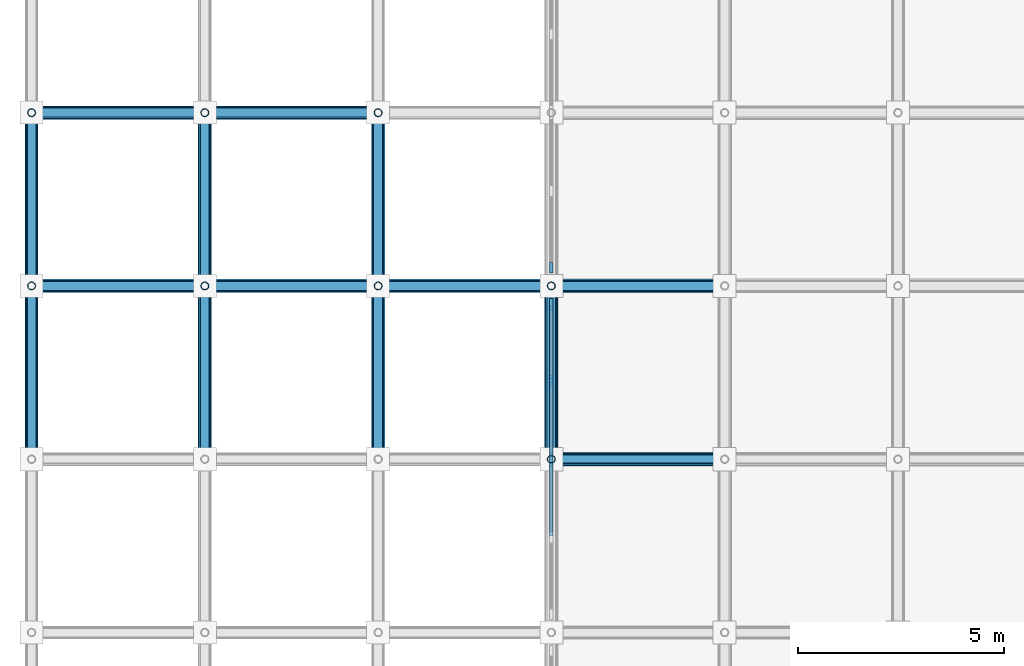
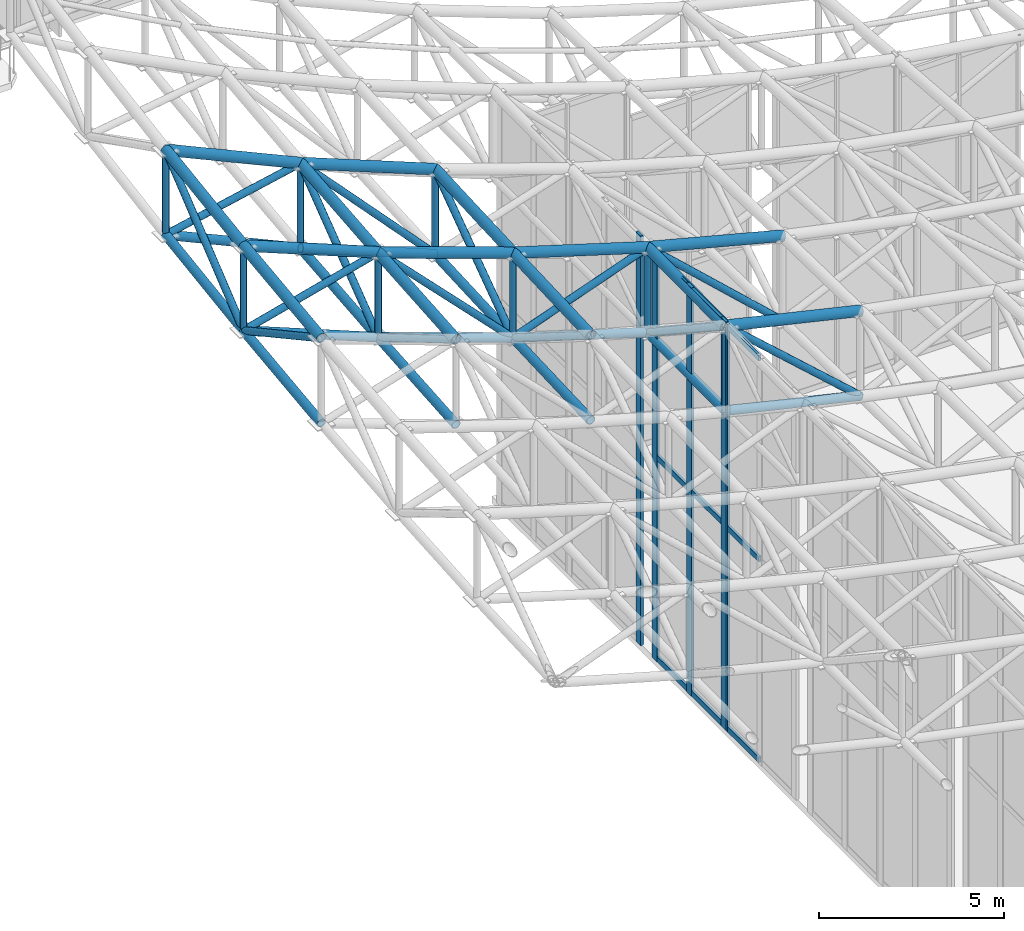
# One storey, part 27 of 93: 64 members, 3 elements without a shape of their own.
"""IFC4 building model written with IfcOpenShell, lengths in metres."""

from ifc_helpers import new_model, si_unit, direction, frame, origin, origin_2d, place, context, subcontext, project, spatial, rectangle, hollow_circle, extrude, material, material_profile, profile_set, type_object, element, aggregate, save


model = new_model("IFC4")

# Units and contexts
model_context = context("Model", 3, precision=1e-05, world=origin(), true_north=direction((0.0, 1.0)))
body_context = subcontext(model_context, "Body", "Model", "MODEL_VIEW")
ifc_project = project(units=[si_unit("LENGTHUNIT", "METRE"), si_unit("AREAUNIT", "SQUARE_METRE"), si_unit("VOLUMEUNIT", "CUBIC_METRE"), si_unit("PLANEANGLEUNIT", "RADIAN"), si_unit("MASSUNIT", "GRAM", prefix="KILO")], contexts=[model_context])

# Site, building, storey
site_placement = place(None, origin())
site = spatial("IfcSite", under=ifc_project, at=site_placement, CompositionType="ELEMENT")
building_placement = place(site_placement, origin())
building = spatial("IfcBuilding", under=site, at=building_placement, Name="Cumbredor Promenade Congress Hotel", CompositionType="ELEMENT")
storey_placement = place(building_placement, frame((0.0, 0.0, 21.840087890625)))
storey = spatial("IfcBuildingStorey", under=building, at=storey_placement, Name="L06", CompositionType="ELEMENT", Elevation=21.840087890625)

# Curtain wall, member
ifc_material_1 = material(Name="Thermally broken anodized aluminium and low-E glass", Category="aluminium")
curtain_wall_type = type_object("IfcCurtainWallType", Name="Stepped Pavilion Clerestory Curtain Wall CW-06", PredefinedType="NOTDEFINED", material=ifc_material_1)
curtain_wall_1_placement = place(storey_placement, origin())
curtain_wall_1 = element("IfcCurtainWall", 1, at=curtain_wall_1_placement, inside=storey, type_object=curtain_wall_type, Name="Plenary Congress Hall W Glazed Clerestory 11", PredefinedType="NOTDEFINED")
ifc_material_2 = material(Name="Thermally broken anodized aluminium", Category="aluminium")
ifc_material_profile_1 = material_profile(ifc_material_2, rectangle(XDim=0.0849609375, YDim=0.260009765625, at=origin_2d()), Name="ALU MULLION CLERESTORY 85x260")
ifc_profile_set_1 = profile_set([ifc_material_profile_1], Name="Thermally broken anodized aluminium")
member_type_1 = type_object("IfcMemberType", Name="Curtain Wall Mullion ML-04", PredefinedType="MULLION", material=ifc_profile_set_1)
member_1_placement = place(storey_placement, frame((8.39990234375, 54.56005859375, -0.01806640625), z_axis=(0.0, 0.0, 1.0), x_axis=(1.0, 0.0, 0.0)))
member_1 = element("IfcMember", 2, at=member_1_placement, type_object=member_type_1, Name="Plenary Congress Hall W Glazed Clerestory 11 Mullion 3", PredefinedType="MULLION", context=body_context, shape_type="SweptSolid", body=[
    extrude(rectangle(XDim=0.0849609375, YDim=0.260009765625, at=origin_2d()), origin(), (0.0, 0.0, 1.0), 13.433837890625),
])

# Curtain wall, members
curtain_wall_2_placement = place(storey_placement, origin())
curtain_wall_2 = element("IfcCurtainWall", 3, at=curtain_wall_2_placement, inside=storey, type_object=curtain_wall_type, Name="Plenary Congress Hall W Glazed Clerestory 12", PredefinedType="NOTDEFINED")
member_2_placement = place(storey_placement, frame((8.39990234375, 54.639892578125, -0.01806640625), z_axis=(0.0, 0.0, 1.0), x_axis=(1.0, 0.0, 0.0)))
member_2 = element("IfcMember", 4, at=member_2_placement, type_object=member_type_1, Name="Plenary Congress Hall W Glazed Clerestory 12 Mullion 1", PredefinedType="MULLION", context=body_context, shape_type="SweptSolid", body=[
    extrude(rectangle(XDim=0.0849609375, YDim=0.260009765625, at=origin_2d()), origin(), (0.0, 0.0, 1.0), 13.466064453125),
])
member_3_placement = place(storey_placement, frame((8.39990234375, 56.5, -0.01806640625), z_axis=(0.0, 0.0, 1.0), x_axis=(1.0, 0.0, 0.0)))
member_3 = element("IfcMember", 5, at=member_3_placement, type_object=member_type_1, Name="Plenary Congress Hall W Glazed Clerestory 12 Mullion 2", PredefinedType="MULLION", context=body_context, shape_type="SweptSolid", body=[
    extrude(rectangle(XDim=0.0849609375, YDim=0.260009765625, at=origin_2d()), origin(), (0.0, 0.0, 1.0), 13.466064453125),
])
member_4_placement = place(storey_placement, frame((8.39990234375, 58.360107421875, -0.01806640625), z_axis=(0.0, 0.0, 1.0), x_axis=(1.0, 0.0, 0.0)))
member_4 = element("IfcMember", 6, at=member_4_placement, type_object=member_type_1, Name="Plenary Congress Hall W Glazed Clerestory 12 Mullion 3", PredefinedType="MULLION", context=body_context, shape_type="SweptSolid", body=[
    extrude(rectangle(XDim=0.0849609375, YDim=0.260009765625, at=origin_2d()), origin(), (0.0, 0.0, 1.0), 13.466064453125),
])

# Curtain wall, member
curtain_wall_3_placement = place(storey_placement, origin())
curtain_wall_3 = element("IfcCurtainWall", 7, at=curtain_wall_3_placement, inside=storey, type_object=curtain_wall_type, Name="Plenary Congress Hall W Glazed Clerestory 13", PredefinedType="NOTDEFINED")
member_5_placement = place(storey_placement, frame((8.39990234375, 59.239990234375, -0.01806640625), z_axis=(0.0, 0.0, 1.0), x_axis=(1.0, 0.0, 0.0)))
member_5 = element("IfcMember", 8, at=member_5_placement, type_object=member_type_1, Name="Plenary Congress Hall W Glazed Clerestory 13 Mullion 1", PredefinedType="MULLION", context=body_context, shape_type="SweptSolid", body=[
    extrude(rectangle(XDim=0.0849609375, YDim=0.260009765625, at=origin_2d()), origin(), (0.0, 0.0, 1.0), 13.506103515625),
])
aggregate(curtain_wall_3, [member_5])

# Member
ifc_material_profile_2 = material_profile(ifc_material_2, rectangle(XDim=0.080078125, YDim=0.179931640625, at=origin_2d()), Name="ALU TRANSOM 80x180")
ifc_profile_set_2 = profile_set([ifc_material_profile_2], Name="Thermally broken anodized aluminium")
member_type_2 = type_object("IfcMemberType", Name="Curtain Wall Transom TR-03", PredefinedType="USERDEFINED", material=ifc_profile_set_2)
member_6_placement = place(storey_placement, frame((8.39990234375, 52.742431640625, 0.079833984375), z_axis=(0.0, 1.0, 0.0), x_axis=(-1.0, 0.0, 0.0)))
member_6 = element("IfcMember", 9, at=member_6_placement, type_object=member_type_2, Name="Plenary Congress Hall W Glazed Clerestory 11 Transom 2.1", ObjectType="TRANSOM", PredefinedType="USERDEFINED", context=body_context, shape_type="SweptSolid", body=[
    extrude(rectangle(XDim=0.080078125, YDim=0.179931640625, at=origin_2d()), origin(), (0.0, 0.0, 1.0), 1.775146484375),
])

member_7_placement = place(storey_placement, frame((8.39990234375, 52.742431640625, 6.699951171875), z_axis=(0.0, 1.0, 0.0), x_axis=(-1.0, 0.0, 0.0)))
member_7 = element("IfcMember", 10, at=member_7_placement, type_object=member_type_2, Name="Plenary Congress Hall W Glazed Clerestory 11 Transom 2.2", ObjectType="TRANSOM", PredefinedType="USERDEFINED", context=body_context, shape_type="SweptSolid", body=[
    extrude(rectangle(XDim=0.080078125, YDim=0.179931640625, at=origin_2d()), origin(), (0.0, 0.0, 1.0), 1.775146484375),
])

member_8_placement = place(storey_placement, frame((8.39990234375, 52.742431640625, 13.31982421875), z_axis=(0.0, 1.0, 0.0), x_axis=(-1.0, 0.0, 0.0)))
member_8 = element("IfcMember", 11, at=member_8_placement, type_object=member_type_2, Name="Plenary Congress Hall W Glazed Clerestory 11 Transom 2.3", ObjectType="TRANSOM", PredefinedType="USERDEFINED", context=body_context, shape_type="SweptSolid", body=[
    extrude(rectangle(XDim=0.080078125, YDim=0.179931640625, at=origin_2d()), origin(), (0.0, 0.0, 1.0), 1.775146484375),
])

aggregate(curtain_wall_1, [member_1, member_6, member_7, member_8])

member_9_placement = place(storey_placement, frame((8.39990234375, 54.6826171875, 0.079833984375), z_axis=(0.0, 1.0, 0.0), x_axis=(-1.0, 0.0, 0.0)))
member_9 = element("IfcMember", 12, at=member_9_placement, type_object=member_type_2, Name="Plenary Congress Hall W Glazed Clerestory 12 Transom 1.1", ObjectType="TRANSOM", PredefinedType="USERDEFINED", context=body_context, shape_type="SweptSolid", body=[
    extrude(rectangle(XDim=0.080078125, YDim=0.179931640625, at=origin_2d()), origin(), (0.0, 0.0, 1.0), 1.77490234375),
])

member_10_placement = place(storey_placement, frame((8.39990234375, 54.6826171875, 6.7099609375), z_axis=(0.0, 1.0, 0.0), x_axis=(-1.0, 0.0, 0.0)))
member_10 = element("IfcMember", 13, at=member_10_placement, type_object=member_type_2, Name="Plenary Congress Hall W Glazed Clerestory 12 Transom 1.2", ObjectType="TRANSOM", PredefinedType="USERDEFINED", context=body_context, shape_type="SweptSolid", body=[
    extrude(rectangle(XDim=0.080078125, YDim=0.179931640625, at=origin_2d()), origin(), (0.0, 0.0, 1.0), 1.77490234375),
])

member_11_placement = place(storey_placement, frame((8.39990234375, 54.6826171875, 13.349853515625), z_axis=(0.0, 1.0, 0.0), x_axis=(-1.0, 0.0, 0.0)))
member_11 = element("IfcMember", 14, at=member_11_placement, type_object=member_type_2, Name="Plenary Congress Hall W Glazed Clerestory 12 Transom 1.3", ObjectType="TRANSOM", PredefinedType="USERDEFINED", context=body_context, shape_type="SweptSolid", body=[
    extrude(rectangle(XDim=0.080078125, YDim=0.179931640625, at=origin_2d()), origin(), (0.0, 0.0, 1.0), 1.77490234375),
])

member_12_placement = place(storey_placement, frame((8.39990234375, 56.54248046875, 0.079833984375), z_axis=(0.0, 1.0, 0.0), x_axis=(-1.0, 0.0, 0.0)))
member_12 = element("IfcMember", 15, at=member_12_placement, type_object=member_type_2, Name="Plenary Congress Hall W Glazed Clerestory 12 Transom 2.1", ObjectType="TRANSOM", PredefinedType="USERDEFINED", context=body_context, shape_type="SweptSolid", body=[
    extrude(rectangle(XDim=0.080078125, YDim=0.179931640625, at=origin_2d()), origin(), (0.0, 0.0, 1.0), 1.77490234375),
])

member_13_placement = place(storey_placement, frame((8.39990234375, 56.54248046875, 6.7099609375), z_axis=(0.0, 1.0, 0.0), x_axis=(-1.0, 0.0, 0.0)))
member_13 = element("IfcMember", 16, at=member_13_placement, type_object=member_type_2, Name="Plenary Congress Hall W Glazed Clerestory 12 Transom 2.2", ObjectType="TRANSOM", PredefinedType="USERDEFINED", context=body_context, shape_type="SweptSolid", body=[
    extrude(rectangle(XDim=0.080078125, YDim=0.179931640625, at=origin_2d()), origin(), (0.0, 0.0, 1.0), 1.77490234375),
])

member_14_placement = place(storey_placement, frame((8.39990234375, 56.54248046875, 13.349853515625), z_axis=(0.0, 1.0, 0.0), x_axis=(-1.0, 0.0, 0.0)))
member_14 = element("IfcMember", 17, at=member_14_placement, type_object=member_type_2, Name="Plenary Congress Hall W Glazed Clerestory 12 Transom 2.3", ObjectType="TRANSOM", PredefinedType="USERDEFINED", context=body_context, shape_type="SweptSolid", body=[
    extrude(rectangle(XDim=0.080078125, YDim=0.179931640625, at=origin_2d()), origin(), (0.0, 0.0, 1.0), 1.77490234375),
])

aggregate(curtain_wall_2, [member_2, member_3, member_4, member_9, member_10, member_11, member_12, member_13, member_14])

# Members
ifc_material_3 = material(Name="Steel ASTM A500 Grade C", Category="steel")
ifc_material_profile_3 = material_profile(ifc_material_3, hollow_circle(Radius=0.136474609375, WallThickness=0.01611328125, at=origin_2d()), Name="CHS 273.0x16")
ifc_profile_set_3 = profile_set([ifc_material_profile_3], Name="Steel ASTM A500 Grade C")
member_type_3 = type_object("IfcMemberType", Name="Plenary Roof Space Frame Bottom Chord", PredefinedType="CHORD", material=ifc_profile_set_3)
member_15_placement = place(storey_placement, frame((8.39990234375, 54.60009765625, 10.4599609375), z_axis=(0.974057098323, 0.0, -0.226302384445), x_axis=(0.0, 1.0, 0.0)))
element("IfcMember", 18, at=member_15_placement, inside=storey, type_object=member_type_3, Name="Plenary Congress Hall X Bottom Chord 4.14", PredefinedType="CHORD", context=body_context, shape_type="SweptSolid", body=[
    extrude(hollow_circle(Radius=0.136474609375, WallThickness=0.01611328125, at=origin_2d()), origin(), (0.0, 0.0, 1.0), 4.31201171875),
])
member_16_placement = place(storey_placement, frame((-4.199951171875, 58.800048828125, 14.967041015625), z_axis=(0.927417042186, 0.0, -0.374028915811), x_axis=(0.0, 1.0, 0.0)))
element("IfcMember", 19, at=member_16_placement, inside=storey, type_object=member_type_3, Name="Plenary Congress Hall X Bottom Chord 1.15", PredefinedType="CHORD", context=body_context, shape_type="SweptSolid", body=[
    extrude(hollow_circle(Radius=0.136474609375, WallThickness=0.01611328125, at=origin_2d()), origin(), (0.0, 0.0, 1.0), 4.528564453125),
])
member_17_placement = place(storey_placement, frame((0.0, 58.800048828125, 13.273193359375), z_axis=(0.942760446136, 0.0, -0.333470750145), x_axis=(0.0, 1.0, 0.0)))
element("IfcMember", 20, at=member_17_placement, inside=storey, type_object=member_type_3, Name="Plenary Congress Hall X Bottom Chord 2.15", PredefinedType="CHORD", context=body_context, shape_type="SweptSolid", body=[
    extrude(hollow_circle(Radius=0.136474609375, WallThickness=0.01611328125, at=origin_2d()), origin(), (0.0, 0.0, 1.0), 4.454833984375),
])
member_18_placement = place(storey_placement, frame((4.199951171875, 58.800048828125, 11.78759765625), z_axis=(0.95607892243, 0.0, -0.293109355165), x_axis=(0.0, 1.0, 0.0)))
element("IfcMember", 21, at=member_18_placement, inside=storey, type_object=member_type_3, Name="Plenary Congress Hall X Bottom Chord 3.15", PredefinedType="CHORD", context=body_context, shape_type="SweptSolid", body=[
    extrude(hollow_circle(Radius=0.136474609375, WallThickness=0.01611328125, at=origin_2d()), origin(), (0.0, 0.0, 1.0), 4.392822265625),
])
member_19_placement = place(storey_placement, frame((8.39990234375, 58.800048828125, 10.5), z_axis=(0.967959933008, 0.0, -0.251104695479), x_axis=(0.0, 1.0, 0.0)))
element("IfcMember", 22, at=member_19_placement, inside=storey, type_object=member_type_3, Name="Plenary Congress Hall X Bottom Chord 4.15", PredefinedType="CHORD", context=body_context, shape_type="SweptSolid", body=[
    extrude(hollow_circle(Radius=0.136474609375, WallThickness=0.01611328125, at=origin_2d()), origin(), (0.0, 0.0, 1.0), 4.339111328125),
])
member_20_placement = place(storey_placement, frame((-4.199951171875, 63.0, 15.575927734375), z_axis=(0.910496936225, 0.0, -0.413515814842), x_axis=(0.0, 1.0, 0.0)))
element("IfcMember", 23, at=member_20_placement, inside=storey, type_object=member_type_3, Name="Plenary Congress Hall X Bottom Chord 1.16", PredefinedType="CHORD", context=body_context, shape_type="SweptSolid", body=[
    extrude(hollow_circle(Radius=0.136474609375, WallThickness=0.01611328125, at=origin_2d()), origin(), (0.0, 0.0, 1.0), 4.61279296875),
])
member_21_placement = place(storey_placement, frame((0.0, 63.0, 13.66845703125), z_axis=(0.929112256064, 0.0, -0.369797803713), x_axis=(0.0, 1.0, 0.0)))
element("IfcMember", 24, at=member_21_placement, inside=storey, type_object=member_type_3, Name="Plenary Congress Hall X Bottom Chord 2.16", PredefinedType="CHORD", context=body_context, shape_type="SweptSolid", body=[
    extrude(hollow_circle(Radius=0.136474609375, WallThickness=0.01611328125, at=origin_2d()), origin(), (0.0, 0.0, 1.0), 4.5205078125),
])
member_22_placement = place(storey_placement, frame((-4.199951171875, 54.60009765625, 14.45947265625), z_axis=(0.0, 0.992776544314, 0.119978052411), x_axis=(-1.0, 0.0, 0.0)))
element("IfcMember", 25, at=member_22_placement, inside=storey, type_object=member_type_3, Name="Plenary Congress Hall Y Bottom Chord 1.14", PredefinedType="CHORD", context=body_context, shape_type="SweptSolid", body=[
    extrude(hollow_circle(Radius=0.136474609375, WallThickness=0.01611328125, at=origin_2d()), origin(), (0.0, 0.0, 1.0), 4.23046875),
])
member_23_placement = place(storey_placement, frame((-4.199951171875, 58.800048828125, 14.967041015625), z_axis=(0.0, 0.989653970568, 0.143474801058), x_axis=(-1.0, 0.0, 0.0)))
element("IfcMember", 26, at=member_23_placement, inside=storey, type_object=member_type_3, Name="Plenary Congress Hall Y Bottom Chord 1.15", PredefinedType="CHORD", context=body_context, shape_type="SweptSolid", body=[
    extrude(hollow_circle(Radius=0.136474609375, WallThickness=0.01611328125, at=origin_2d()), origin(), (0.0, 0.0, 1.0), 4.243896484375),
])
member_24_placement = place(storey_placement, frame((0.0, 54.60009765625, 12.943603515625), z_axis=(0.0, 0.996935010979, 0.078234160601), x_axis=(-1.0, 0.0, 0.0)))
element("IfcMember", 27, at=member_24_placement, inside=storey, type_object=member_type_3, Name="Plenary Congress Hall Y Bottom Chord 2.14", PredefinedType="CHORD", context=body_context, shape_type="SweptSolid", body=[
    extrude(hollow_circle(Radius=0.136474609375, WallThickness=0.01611328125, at=origin_2d()), origin(), (0.0, 0.0, 1.0), 4.212890625),
])
member_25_placement = place(storey_placement, frame((0.0, 58.800048828125, 13.273193359375), z_axis=(0.0, 0.995600715305, 0.093697468934), x_axis=(-1.0, 0.0, 0.0)))
element("IfcMember", 28, at=member_25_placement, inside=storey, type_object=member_type_3, Name="Plenary Congress Hall Y Bottom Chord 2.15", PredefinedType="CHORD", context=body_context, shape_type="SweptSolid", body=[
    extrude(hollow_circle(Radius=0.136474609375, WallThickness=0.01611328125, at=origin_2d()), origin(), (0.0, 0.0, 1.0), 4.218505859375),
])
member_26_placement = place(storey_placement, frame((4.199951171875, 54.60009765625, 11.61328125), z_axis=(0.0, 0.999139804036, 0.041468686862), x_axis=(-1.0, 0.0, 0.0)))
element("IfcMember", 29, at=member_26_placement, inside=storey, type_object=member_type_3, Name="Plenary Congress Hall Y Bottom Chord 3.14", PredefinedType="CHORD", context=body_context, shape_type="SweptSolid", body=[
    extrude(hollow_circle(Radius=0.136474609375, WallThickness=0.01611328125, at=origin_2d()), origin(), (0.0, 0.0, 1.0), 4.20361328125),
])
member_27_placement = place(storey_placement, frame((4.199951171875, 58.800048828125, 11.78759765625), z_axis=(0.0, 0.998761443455, 0.049755191364), x_axis=(-1.0, 0.0, 0.0)))
element("IfcMember", 30, at=member_27_placement, inside=storey, type_object=member_type_3, Name="Plenary Congress Hall Y Bottom Chord 3.15", PredefinedType="CHORD", context=body_context, shape_type="SweptSolid", body=[
    extrude(hollow_circle(Radius=0.136474609375, WallThickness=0.01611328125, at=origin_2d()), origin(), (0.0, 0.0, 1.0), 4.205078125),
])
member_28_placement = place(storey_placement, frame((8.39990234375, 54.60009765625, 10.4599609375), z_axis=(0.0, 0.999954561946, 0.009532787779), x_axis=(-1.0, 0.0, 0.0)))
element("IfcMember", 31, at=member_28_placement, inside=storey, type_object=member_type_3, Name="Plenary Congress Hall Y Bottom Chord 4.14", PredefinedType="CHORD", context=body_context, shape_type="SweptSolid", body=[
    extrude(hollow_circle(Radius=0.136474609375, WallThickness=0.01611328125, at=origin_2d()), origin(), (0.0, 0.0, 1.0), 4.2001953125),
])
ifc_material_profile_4 = material_profile(ifc_material_3, hollow_circle(Radius=0.161865234375, WallThickness=0.01611328125, at=origin_2d()), Name="CHS 323.9x16")
ifc_profile_set_4 = profile_set([ifc_material_profile_4], Name="Steel ASTM A500 Grade C")
member_type_4 = type_object("IfcMemberType", Name="Plenary Roof Space Frame Top Chord", PredefinedType="CHORD", material=ifc_profile_set_4)
member_29_placement = place(storey_placement, frame((8.39990234375, 54.60009765625, 13.260009765625), z_axis=(0.974057098323, 0.0, -0.226302384445), x_axis=(0.0, 1.0, 0.0)))
element("IfcMember", 32, at=member_29_placement, inside=storey, type_object=member_type_4, Name="Plenary Congress Hall X Top Chord 4.14", PredefinedType="CHORD", context=body_context, shape_type="SweptSolid", body=[
    extrude(hollow_circle(Radius=0.161865234375, WallThickness=0.01611328125, at=origin_2d()), origin(), (0.0, 0.0, 1.0), 4.31201171875),
])
member_30_placement = place(storey_placement, frame((-4.199951171875, 58.800048828125, 17.76708984375), z_axis=(0.927417042186, 0.0, -0.374028915811), x_axis=(0.0, 1.0, 0.0)))
element("IfcMember", 33, at=member_30_placement, inside=storey, type_object=member_type_4, Name="Plenary Congress Hall X Top Chord 1.15", PredefinedType="CHORD", context=body_context, shape_type="SweptSolid", body=[
    extrude(hollow_circle(Radius=0.161865234375, WallThickness=0.01611328125, at=origin_2d()), origin(), (0.0, 0.0, 1.0), 4.528564453125),
])
member_31_placement = place(storey_placement, frame((0.0, 58.800048828125, 16.0732421875), z_axis=(0.942760446136, 0.0, -0.333470750145), x_axis=(0.0, 1.0, 0.0)))
element("IfcMember", 34, at=member_31_placement, inside=storey, type_object=member_type_4, Name="Plenary Congress Hall X Top Chord 2.15", PredefinedType="CHORD", context=body_context, shape_type="SweptSolid", body=[
    extrude(hollow_circle(Radius=0.161865234375, WallThickness=0.01611328125, at=origin_2d()), origin(), (0.0, 0.0, 1.0), 4.454833984375),
])
member_32_placement = place(storey_placement, frame((4.199951171875, 58.800048828125, 14.587646484375), z_axis=(0.95607892243, 0.0, -0.293109355165), x_axis=(0.0, 1.0, 0.0)))
element("IfcMember", 35, at=member_32_placement, inside=storey, type_object=member_type_4, Name="Plenary Congress Hall X Top Chord 3.15", PredefinedType="CHORD", context=body_context, shape_type="SweptSolid", body=[
    extrude(hollow_circle(Radius=0.161865234375, WallThickness=0.01611328125, at=origin_2d()), origin(), (0.0, 0.0, 1.0), 4.392822265625),
])
member_33_placement = place(storey_placement, frame((8.39990234375, 58.800048828125, 13.300048828125), z_axis=(0.967946256362, 0.0, -0.251157410393), x_axis=(0.0, 1.0, 0.0)))
element("IfcMember", 36, at=member_33_placement, inside=storey, type_object=member_type_4, Name="Plenary Congress Hall X Top Chord 4.15", PredefinedType="CHORD", context=body_context, shape_type="SweptSolid", body=[
    extrude(hollow_circle(Radius=0.161865234375, WallThickness=0.01611328125, at=origin_2d()), origin(), (0.0, 0.0, 1.0), 4.33935546875),
])
member_34_placement = place(storey_placement, frame((-4.199951171875, 63.0, 18.375732421875), z_axis=(0.910516862741, 0.0, -0.413471936972), x_axis=(0.0, 1.0, 0.0)))
element("IfcMember", 37, at=member_34_placement, inside=storey, type_object=member_type_4, Name="Plenary Congress Hall X Top Chord 1.16", PredefinedType="CHORD", context=body_context, shape_type="SweptSolid", body=[
    extrude(hollow_circle(Radius=0.161865234375, WallThickness=0.01611328125, at=origin_2d()), origin(), (0.0, 0.0, 1.0), 4.61279296875),
])
member_35_placement = place(storey_placement, frame((0.0, 63.0, 16.468505859375), z_axis=(0.929112256064, 0.0, -0.369797803713), x_axis=(0.0, 1.0, 0.0)))
element("IfcMember", 38, at=member_35_placement, inside=storey, type_object=member_type_4, Name="Plenary Congress Hall X Top Chord 2.16", PredefinedType="CHORD", context=body_context, shape_type="SweptSolid", body=[
    extrude(hollow_circle(Radius=0.161865234375, WallThickness=0.01611328125, at=origin_2d()), origin(), (0.0, 0.0, 1.0), 4.5205078125),
])
member_36_placement = place(storey_placement, frame((-4.199951171875, 54.60009765625, 17.259521484375), z_axis=(0.0, 0.992776544314, 0.119978052411), x_axis=(-1.0, 0.0, 0.0)))
element("IfcMember", 39, at=member_36_placement, inside=storey, type_object=member_type_4, Name="Plenary Congress Hall Y Top Chord 1.14", PredefinedType="CHORD", context=body_context, shape_type="SweptSolid", body=[
    extrude(hollow_circle(Radius=0.161865234375, WallThickness=0.01611328125, at=origin_2d()), origin(), (0.0, 0.0, 1.0), 4.23046875),
])
member_37_placement = place(storey_placement, frame((-4.199951171875, 58.800048828125, 17.76708984375), z_axis=(0.0, 0.989662137454, 0.143418456587), x_axis=(-1.0, 0.0, 0.0)))
element("IfcMember", 40, at=member_37_placement, inside=storey, type_object=member_type_4, Name="Plenary Congress Hall Y Top Chord 1.15", PredefinedType="CHORD", context=body_context, shape_type="SweptSolid", body=[
    extrude(hollow_circle(Radius=0.161865234375, WallThickness=0.01611328125, at=origin_2d()), origin(), (0.0, 0.0, 1.0), 4.243896484375),
])
member_38_placement = place(storey_placement, frame((0.0, 54.60009765625, 15.74365234375), z_axis=(0.0, 0.996935010979, 0.078234160601), x_axis=(-1.0, 0.0, 0.0)))
element("IfcMember", 41, at=member_38_placement, inside=storey, type_object=member_type_4, Name="Plenary Congress Hall Y Top Chord 2.14", PredefinedType="CHORD", context=body_context, shape_type="SweptSolid", body=[
    extrude(hollow_circle(Radius=0.161865234375, WallThickness=0.01611328125, at=origin_2d()), origin(), (0.0, 0.0, 1.0), 4.212890625),
])
member_39_placement = place(storey_placement, frame((0.0, 58.800048828125, 16.0732421875), z_axis=(0.0, 0.995600715305, 0.093697468934), x_axis=(-1.0, 0.0, 0.0)))
element("IfcMember", 42, at=member_39_placement, inside=storey, type_object=member_type_4, Name="Plenary Congress Hall Y Top Chord 2.15", PredefinedType="CHORD", context=body_context, shape_type="SweptSolid", body=[
    extrude(hollow_circle(Radius=0.161865234375, WallThickness=0.01611328125, at=origin_2d()), origin(), (0.0, 0.0, 1.0), 4.218505859375),
])
member_40_placement = place(storey_placement, frame((4.199951171875, 54.60009765625, 14.413330078125), z_axis=(0.0, 0.999139804036, 0.041468686862), x_axis=(-1.0, 0.0, 0.0)))
element("IfcMember", 43, at=member_40_placement, inside=storey, type_object=member_type_4, Name="Plenary Congress Hall Y Top Chord 3.14", PredefinedType="CHORD", context=body_context, shape_type="SweptSolid", body=[
    extrude(hollow_circle(Radius=0.161865234375, WallThickness=0.01611328125, at=origin_2d()), origin(), (0.0, 0.0, 1.0), 4.20361328125),
])
member_41_placement = place(storey_placement, frame((4.199951171875, 58.800048828125, 14.587646484375), z_axis=(0.0, 0.998761443455, 0.049755191364), x_axis=(-1.0, 0.0, 0.0)))
element("IfcMember", 44, at=member_41_placement, inside=storey, type_object=member_type_4, Name="Plenary Congress Hall Y Top Chord 3.15", PredefinedType="CHORD", context=body_context, shape_type="SweptSolid", body=[
    extrude(hollow_circle(Radius=0.161865234375, WallThickness=0.01611328125, at=origin_2d()), origin(), (0.0, 0.0, 1.0), 4.205078125),
])
member_42_placement = place(storey_placement, frame((8.39990234375, 54.60009765625, 13.260009765625), z_axis=(0.0, 0.999954561946, 0.009532787779), x_axis=(-1.0, 0.0, 0.0)))
element("IfcMember", 45, at=member_42_placement, inside=storey, type_object=member_type_4, Name="Plenary Congress Hall Y Top Chord 4.14", PredefinedType="CHORD", context=body_context, shape_type="SweptSolid", body=[
    extrude(hollow_circle(Radius=0.161865234375, WallThickness=0.01611328125, at=origin_2d()), origin(), (0.0, 0.0, 1.0), 4.2001953125),
])
ifc_material_profile_5 = material_profile(ifc_material_3, hollow_circle(Radius=0.109619140625, WallThickness=0.012451171875, at=origin_2d()), Name="CHS 219.1x12.5")
ifc_profile_set_5 = profile_set([ifc_material_profile_5], Name="Steel ASTM A500 Grade C")
member_type_5 = type_object("IfcMemberType", Name="Space Frame Web Diagonal D1", PredefinedType="BRACE", material=ifc_profile_set_5)
member_43_placement = place(storey_placement, frame((8.39990234375, 54.60009765625, 13.260009765625), z_axis=(0.743672320821, 0.0, -0.668544298641), x_axis=(0.0, 1.0, 0.0)))
element("IfcMember", 46, at=member_43_placement, inside=storey, type_object=member_type_5, Name="Plenary Congress Hall X Web Diagonal 4.14", PredefinedType="BRACE", context=body_context, shape_type="SweptSolid", body=[
    extrude(hollow_circle(Radius=0.109619140625, WallThickness=0.012451171875, at=origin_2d()), origin(), (0.0, 0.0, 1.0), 5.64794921875),
])
member_44_placement = place(storey_placement, frame((-4.199951171875, 58.800048828125, 14.967041015625), z_axis=(0.967020633306, 0.0, 0.254698046243), x_axis=(0.0, 1.0, 0.0)))
element("IfcMember", 47, at=member_44_placement, inside=storey, type_object=member_type_5, Name="Plenary Congress Hall X Web Diagonal 1.15", PredefinedType="BRACE", context=body_context, shape_type="SweptSolid", body=[
    extrude(hollow_circle(Radius=0.109619140625, WallThickness=0.012451171875, at=origin_2d()), origin(), (0.0, 0.0, 1.0), 4.34326171875),
])
member_45_placement = place(storey_placement, frame((0.0, 58.800048828125, 16.0732421875), z_axis=(0.699930242693, 0.0, -0.714211212012), x_axis=(0.0, 1.0, 0.0)))
element("IfcMember", 48, at=member_45_placement, inside=storey, type_object=member_type_5, Name="Plenary Congress Hall X Web Diagonal 2.15", PredefinedType="BRACE", context=body_context, shape_type="SweptSolid", body=[
    extrude(hollow_circle(Radius=0.109619140625, WallThickness=0.012451171875, at=origin_2d()), origin(), (0.0, 0.0, 1.0), 6.00048828125),
])
member_46_placement = place(storey_placement, frame((4.199951171875, 58.800048828125, 11.78759765625), z_axis=(0.940853941796, 0.0, 0.338812426288), x_axis=(0.0, 1.0, 0.0)))
element("IfcMember", 49, at=member_46_placement, inside=storey, type_object=member_type_5, Name="Plenary Congress Hall X Web Diagonal 3.15", PredefinedType="BRACE", context=body_context, shape_type="SweptSolid", body=[
    extrude(hollow_circle(Radius=0.109619140625, WallThickness=0.012451171875, at=origin_2d()), origin(), (0.0, 0.0, 1.0), 4.4638671875),
])
member_47_placement = place(storey_placement, frame((8.39990234375, 58.800048828125, 13.300048828125), z_axis=(0.733710275951, 0.0, -0.679462457362), x_axis=(0.0, 1.0, 0.0)))
element("IfcMember", 50, at=member_47_placement, inside=storey, type_object=member_type_5, Name="Plenary Congress Hall X Web Diagonal 4.15", PredefinedType="BRACE", context=body_context, shape_type="SweptSolid", body=[
    extrude(hollow_circle(Radius=0.109619140625, WallThickness=0.012451171875, at=origin_2d()), origin(), (0.0, 0.0, 1.0), 5.724609375),
])
member_48_placement = place(storey_placement, frame((-4.199951171875, 63.0, 15.575927734375), z_axis=(0.978154659995, 0.0, 0.207878476832), x_axis=(0.0, 1.0, 0.0)))
element("IfcMember", 51, at=member_48_placement, inside=storey, type_object=member_type_5, Name="Plenary Congress Hall X Web Diagonal 1.16", PredefinedType="BRACE", context=body_context, shape_type="SweptSolid", body=[
    extrude(hollow_circle(Radius=0.109619140625, WallThickness=0.012451171875, at=origin_2d()), origin(), (0.0, 0.0, 1.0), 4.293701171875),
])
member_49_placement = place(storey_placement, frame((0.0, 63.0, 16.468505859375), z_axis=(0.68461331893, 0.0, -0.728906443615), x_axis=(0.0, 1.0, 0.0)))
element("IfcMember", 52, at=member_49_placement, inside=storey, type_object=member_type_5, Name="Plenary Congress Hall X Web Diagonal 2.16", PredefinedType="BRACE", context=body_context, shape_type="SweptSolid", body=[
    extrude(hollow_circle(Radius=0.109619140625, WallThickness=0.012451171875, at=origin_2d()), origin(), (0.0, 0.0, 1.0), 6.134765625),
])
member_50_placement = place(storey_placement, frame((-4.199951171875, 54.60009765625, 17.259521484375), z_axis=(0.0, 0.87775513965, -0.479109501907), x_axis=(-1.0, 0.0, 0.0)))
element("IfcMember", 53, at=member_50_placement, inside=storey, type_object=member_type_5, Name="Plenary Congress Hall Y Web Diagonal 1.14", PredefinedType="BRACE", context=body_context, shape_type="SweptSolid", body=[
    extrude(hollow_circle(Radius=0.109619140625, WallThickness=0.012451171875, at=origin_2d()), origin(), (0.0, 0.0, 1.0), 4.784912109375),
])
member_51_placement = place(storey_placement, frame((-4.199951171875, 58.800048828125, 14.967041015625), z_axis=(0.0, 0.776454893732, 0.630172831848), x_axis=(-1.0, 0.0, 0.0)))
element("IfcMember", 54, at=member_51_placement, inside=storey, type_object=member_type_5, Name="Plenary Congress Hall Y Web Diagonal 1.15", PredefinedType="BRACE", context=body_context, shape_type="SweptSolid", body=[
    extrude(hollow_circle(Radius=0.109619140625, WallThickness=0.012451171875, at=origin_2d()), origin(), (0.0, 0.0, 1.0), 5.4091796875),
])
member_52_placement = place(storey_placement, frame((0.0, 54.60009765625, 15.74365234375), z_axis=(0.0, 0.861943231209, -0.507004798965), x_axis=(-1.0, 0.0, 0.0)))
element("IfcMember", 55, at=member_52_placement, inside=storey, type_object=member_type_5, Name="Plenary Congress Hall Y Web Diagonal 2.14", PredefinedType="BRACE", context=body_context, shape_type="SweptSolid", body=[
    extrude(hollow_circle(Radius=0.109619140625, WallThickness=0.012451171875, at=origin_2d()), origin(), (0.0, 0.0, 1.0), 4.87255859375),
])
member_53_placement = place(storey_placement, frame((0.0, 58.800048828125, 13.273193359375), z_axis=(0.0, 0.79585631795, 0.60548552516), x_axis=(-1.0, 0.0, 0.0)))
element("IfcMember", 56, at=member_53_placement, inside=storey, type_object=member_type_5, Name="Plenary Congress Hall Y Web Diagonal 2.15", PredefinedType="BRACE", context=body_context, shape_type="SweptSolid", body=[
    extrude(hollow_circle(Radius=0.109619140625, WallThickness=0.012451171875, at=origin_2d()), origin(), (0.0, 0.0, 1.0), 5.27734375),
])
member_54_placement = place(storey_placement, frame((4.199951171875, 54.60009765625, 14.413330078125), z_axis=(0.0, 0.847929069798, -0.530109698639), x_axis=(-1.0, 0.0, 0.0)))
element("IfcMember", 57, at=member_54_placement, inside=storey, type_object=member_type_5, Name="Plenary Congress Hall Y Web Diagonal 3.14", PredefinedType="BRACE", context=body_context, shape_type="SweptSolid", body=[
    extrude(hollow_circle(Radius=0.109619140625, WallThickness=0.012451171875, at=origin_2d()), origin(), (0.0, 0.0, 1.0), 4.953125),
])
member_55_placement = place(storey_placement, frame((4.199951171875, 58.800048828125, 11.78759765625), z_axis=(0.0, 0.812880140246, 0.582431006724), x_axis=(-1.0, 0.0, 0.0)))
element("IfcMember", 58, at=member_55_placement, inside=storey, type_object=member_type_5, Name="Plenary Congress Hall Y Web Diagonal 3.15", PredefinedType="BRACE", context=body_context, shape_type="SweptSolid", body=[
    extrude(hollow_circle(Radius=0.109619140625, WallThickness=0.012451171875, at=origin_2d()), origin(), (0.0, 0.0, 1.0), 5.166748046875),
])
member_56_placement = place(storey_placement, frame((8.39990234375, 54.60009765625, 13.260009765625), z_axis=(0.0, 0.835701657629, -0.549183702813), x_axis=(-1.0, 0.0, 0.0)))
element("IfcMember", 59, at=member_56_placement, inside=storey, type_object=member_type_5, Name="Plenary Congress Hall Y Web Diagonal 4.14", PredefinedType="BRACE", context=body_context, shape_type="SweptSolid", body=[
    extrude(hollow_circle(Radius=0.109619140625, WallThickness=0.012451171875, at=origin_2d()), origin(), (0.0, 0.0, 1.0), 5.025634765625),
])
ifc_material_profile_6 = material_profile(ifc_material_3, hollow_circle(Radius=0.096923828125, WallThickness=0.010009765625, at=origin_2d()), Name="CHS 193.7x10")
ifc_profile_set_6 = profile_set([ifc_material_profile_6], Name="Steel ASTM A500 Grade C")
member_type_6 = type_object("IfcMemberType", Name="Space Frame Web Post P1", PredefinedType="BRACE", material=ifc_profile_set_6)
member_57_placement = place(storey_placement, frame((-4.199951171875, 58.800048828125, 14.967041015625), z_axis=(0.0, 0.0, 1.0), x_axis=(1.0, 0.0, 0.0)))
element("IfcMember", 60, at=member_57_placement, inside=storey, type_object=member_type_6, Name="Plenary Congress Hall Space Frame Web Post 1.15", PredefinedType="BRACE", context=body_context, shape_type="SweptSolid", body=[
    extrude(hollow_circle(Radius=0.096923828125, WallThickness=0.010009765625, at=origin_2d()), origin(), (0.0, 0.0, 1.0), 2.800048828125),
])
member_58_placement = place(storey_placement, frame((-4.199951171875, 63.0, 15.575927734375), z_axis=(0.0, 0.0, 1.0), x_axis=(1.0, 0.0, 0.0)))
element("IfcMember", 61, at=member_58_placement, inside=storey, type_object=member_type_6, Name="Plenary Congress Hall Space Frame Web Post 1.16", PredefinedType="BRACE", context=body_context, shape_type="SweptSolid", body=[
    extrude(hollow_circle(Radius=0.096923828125, WallThickness=0.010009765625, at=origin_2d()), origin(), (0.0, 0.0, 1.0), 2.7998046875),
])
for number, where, z_axis, x_axis, name in (
    (62, (0.0, 58.800048828125, 13.273193359375), (0.0, 0.0, 1.0), (1.0, 0.0, 0.0), "Plenary Congress Hall Space Frame Web Post 2.15"),
    (63, (0.0, 63.0, 13.66845703125), (0.0, 0.0, 1.0), (1.0, 0.0, 0.0), "Plenary Congress Hall Space Frame Web Post 2.16"),
    (64, (4.199951171875, 58.800048828125, 11.78759765625), (0.0, 0.0, 1.0), (1.0, 0.0, 0.0), "Plenary Congress Hall Space Frame Web Post 3.15"),
    (65, (4.199951171875, 63.0, 11.996826171875), (0.0, 0.0, 1.0), (1.0, 0.0, 0.0), "Plenary Congress Hall Space Frame Web Post 3.16"),
    (66, (8.39990234375, 54.60009765625, 10.4599609375), (0.0, 0.0, 1.0), (1.0, 0.0, 0.0), "Plenary Congress Hall Space Frame Web Post 4.14"),
    (67, (8.39990234375, 58.800048828125, 10.5), (0.0, 0.0, 1.0), (1.0, 0.0, 0.0), "Plenary Congress Hall Space Frame Web Post 4.15"),
):
    element("IfcMember", number, at=place(storey_placement, frame(where, z_axis=z_axis, x_axis=x_axis)), inside=storey, type_object=member_type_6, Name=name, PredefinedType="BRACE", context=body_context, shape_type="SweptSolid", body=[
        extrude(hollow_circle(Radius=0.096923828125, WallThickness=0.010009765625, at=origin_2d()), origin(), (0.0, 0.0, 1.0), 2.800048828125),
    ])

save(model, "model.ifc")
